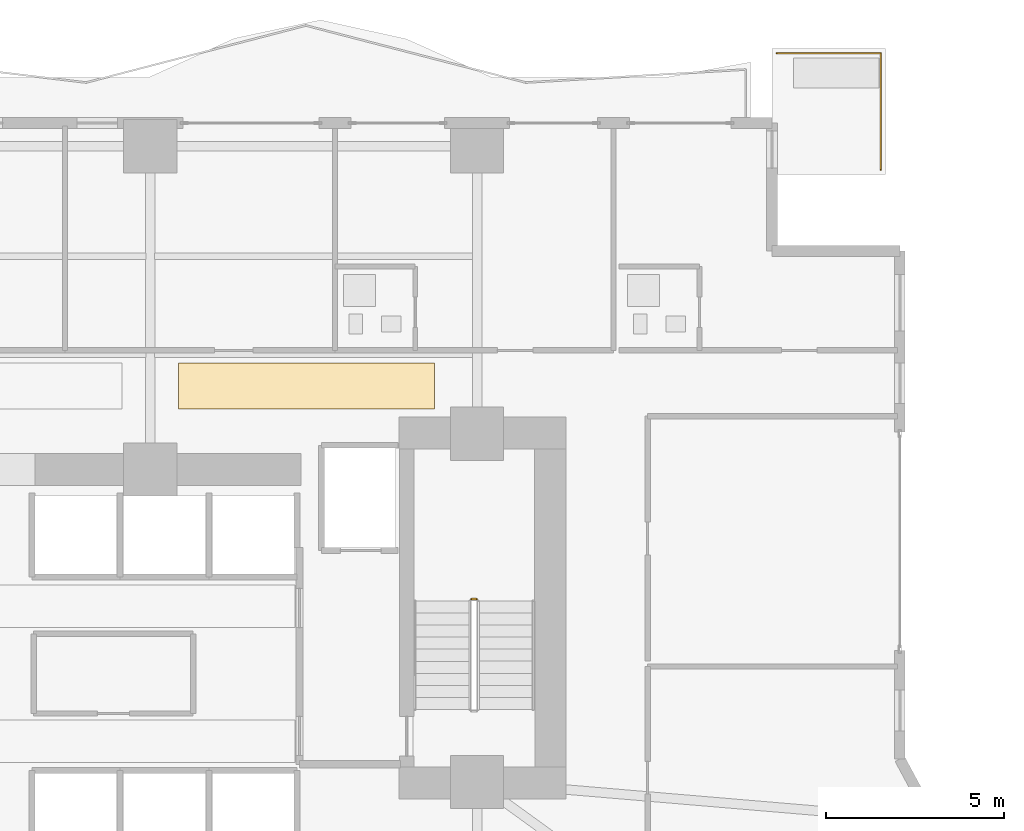
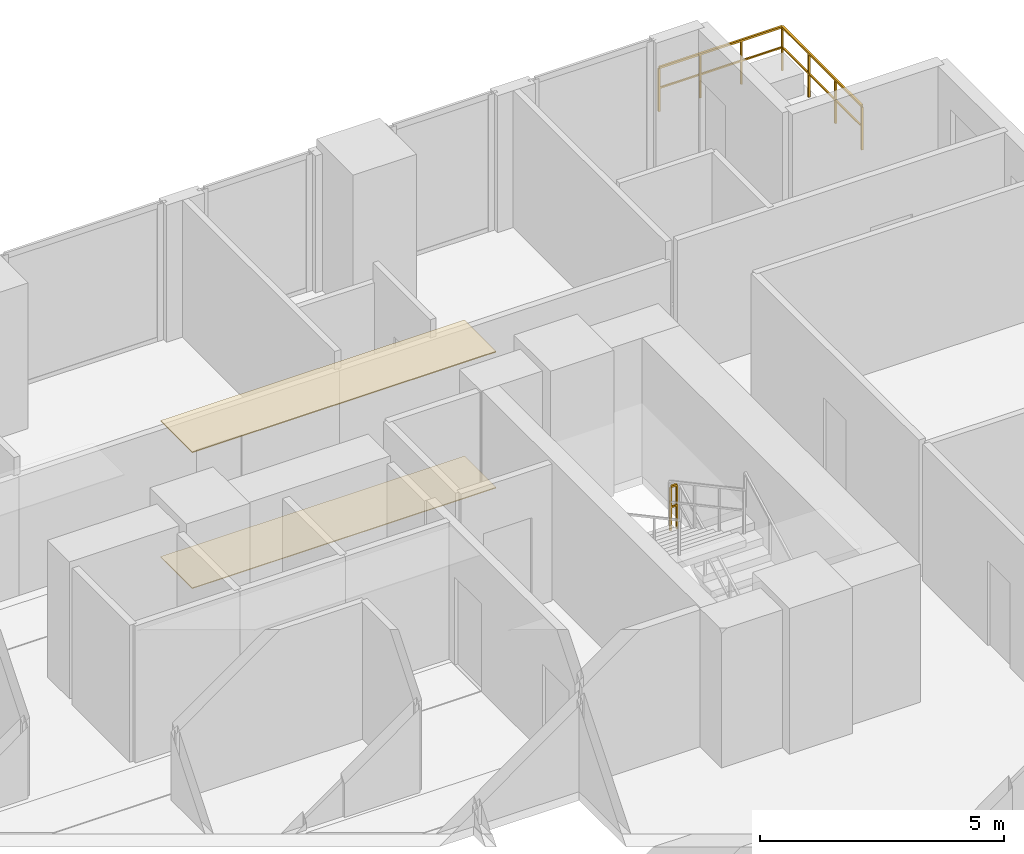
# One storey, part 27 of 28: 2 coverings, 2 railings.
"""IFC4 building model written with IfcOpenShell, lengths in metres."""

from ifc_helpers import new_model, si_unit, direction, frame, origin, origin_2d, place, context, subcontext, project, spatial, polyline, rectangle, outline, extrude, material, layer, layer_set, type_object, element, save


model = new_model("IFC4")

# Units and contexts
model_context = context("Model", 3, precision=1e-05, world=origin(), true_north=direction((0.0, 1.0)))
body_context = subcontext(model_context, "Body", "Model", "MODEL_VIEW")
ifc_project = project(units=[si_unit("LENGTHUNIT", "METRE"), si_unit("AREAUNIT", "SQUARE_METRE"), si_unit("VOLUMEUNIT", "CUBIC_METRE"), si_unit("PLANEANGLEUNIT", "RADIAN"), si_unit("MASSUNIT", "GRAM", prefix="KILO")], contexts=[model_context])

# Site, building, storey
site_placement = place(None, origin())
site = spatial("IfcSite", under=ifc_project, at=site_placement, CompositionType="ELEMENT")
building_placement = place(site_placement, origin())
building = spatial("IfcBuilding", under=site, at=building_placement, Name="Zuhayl Quay Hotel", CompositionType="ELEMENT")
storey_placement = place(building_placement, frame((0.0, 0.0, 49.5)))
storey = spatial("IfcBuildingStorey", under=building, at=storey_placement, Name="L11", CompositionType="ELEMENT", Elevation=49.5)

# Coverings
ifc_material_1 = material(Name="Acoustic Mineral-Fibre Gypsum Board")
ifc_layer_1 = layer(ifc_material_1, 0.02490234375, Name="Acoustic Mineral-Fibre Gypsum Board")
ifc_layer_set_1 = layer_set([ifc_layer_1], Name="Acoustic Mineral-Fibre Gypsum Board")
covering_type_1 = type_object("IfcCoveringType", Name="CV_CEIL_ACOUSTIC", PredefinedType="CEILING", material=ifc_layer_set_1)
covering_1_placement = place(storey_placement, frame((0.0, 0.0, 3.405029296875)))
element("IfcCovering", 1, at=covering_1_placement, inside=storey, type_object=covering_type_1, Name="L11 Guest Corridor Acoustic Ceiling CE", PredefinedType="CEILING", context=body_context, shape_type="SweptSolid", body=[
    extrude(outline(polyline([(5.39990234375, 15.050048828125), (12.60009765625, 15.050048828125), (12.60009765625, 16.35009765625), (5.39990234375, 16.35009765625), (5.39990234375, 15.050048828125)])), origin(), (0.0, 0.0, 1.0), 0.02490234375),
])
ifc_material_2 = material(Name="Polished Limestone Terrazzo", Category="masonry")
ifc_layer_2 = layer(ifc_material_2, 0.02001953125, Name="Polished Limestone Terrazzo", Category="masonry")
ifc_layer_set_2 = layer_set([ifc_layer_2], Name="Polished Limestone Terrazzo")
covering_type_2 = type_object("IfcCoveringType", Name="CV_FLOOR_TERRAZZO", PredefinedType="FLOORING", material=ifc_layer_set_2)
covering_2_placement = place(storey_placement, origin())
element("IfcCovering", 2, at=covering_2_placement, inside=storey, type_object=covering_type_2, Name="L11 Guest Corridor Terrazzo Runner CE", PredefinedType="FLOORING", context=body_context, shape_type="SweptSolid", body=[
    extrude(outline(polyline([(5.39990234375, 15.050048828125), (12.60009765625, 15.050048828125), (12.60009765625, 16.35009765625), (5.39990234375, 16.35009765625), (5.39990234375, 15.050048828125)])), origin(), (0.0, 0.0, 1.0), 0.02001953125),
])

# Railings
ifc_material_3 = material(Name="Anodised Aluminium and Laminated Glass", Category="aluminium")
railing_type_1 = type_object("IfcRailingType", Name="RL_EXT_BAL_1100", PredefinedType="BALUSTRADE", material=ifc_material_3)
railing_1_placement = place(storey_placement, frame((25.159912109375, 21.7900390625, 0.0)))
element("IfcRailing", 3, at=railing_1_placement, inside=storey, type_object=railing_type_1, Name="L11 Balcony and Terrace Guard GR_L11_SPIRAL_NE", PredefinedType="BALUSTRADE", context=body_context, shape_type="SweptSolid", body=[
    extrude(rectangle(XDim=0.048095703125, YDim=0.048095703125, at=origin_2d()), frame((0.0, 0.0, 1.09619140625), z_axis=(0.0, 1.0, 0.0), x_axis=(-1.0, 0.0, 0.0)), (0.0, 0.0, 1.0), 3.27001953125),
    extrude(rectangle(XDim=0.0361328125, YDim=0.0361328125, at=origin_2d()), frame((0.0, 0.0, 0.58251953125), z_axis=(0.0, 1.0, 0.0), x_axis=(-1.0, 0.0, 0.0)), (0.0, 0.0, 1.0), 3.27001953125),
    extrude(rectangle(XDim=0.048095703125, YDim=0.048095703125, at=origin_2d()), frame((0.0, 3.27001953125, 1.09619140625), z_axis=(-1.0, 0.0, 0.0), x_axis=(0.0, -1.0, 0.0)), (0.0, 0.0, 1.0), 2.919921875),
    extrude(rectangle(XDim=0.0361328125, YDim=0.0361328125, at=origin_2d()), frame((0.0, 3.27001953125, 0.58251953125), z_axis=(-1.0, 0.0, 0.0), x_axis=(0.0, -1.0, 0.0)), (0.0, 0.0, 1.0), 2.919921875),
    extrude(rectangle(XDim=0.0419921875, YDim=0.0419921875, at=origin_2d()), origin(), (0.0, 0.0, 1.0), 1.072021484375),
    extrude(rectangle(XDim=0.0419921875, YDim=0.0419921875, at=origin_2d()), frame((0.0, 1.090087890625, 0.0)), (0.0, 0.0, 1.0), 1.072021484375),
    extrude(rectangle(XDim=0.0419921875, YDim=0.0419921875, at=origin_2d()), frame((0.0, 2.179931640625, 0.0)), (0.0, 0.0, 1.0), 1.072021484375),
    extrude(rectangle(XDim=0.0419921875, YDim=0.0419921875, at=origin_2d()), frame((0.0, 3.27001953125, 0.0)), (0.0, 0.0, 1.0), 1.072021484375),
    extrude(rectangle(XDim=0.0419921875, YDim=0.0419921875, at=origin_2d()), frame((-0.973388671875, 3.27001953125, 0.0)), (0.0, 0.0, 1.0), 1.072021484375),
    extrude(rectangle(XDim=0.0419921875, YDim=0.0419921875, at=origin_2d()), frame((-1.946533203125, 3.27001953125, 0.0)), (0.0, 0.0, 1.0), 1.072021484375),
    extrude(rectangle(XDim=0.0419921875, YDim=0.0419921875, at=origin_2d()), frame((-2.919921875, 3.27001953125, 0.0)), (0.0, 0.0, 1.0), 1.072021484375),
])
ifc_material_4 = material(Name="Steel ASTM A992 Grade 50", Category="steel")
railing_type_2 = type_object("IfcRailingType", Name="RL_GUARD_1100", PredefinedType="GUARDRAIL", material=ifc_material_4)
railing_2_placement = place(storey_placement, frame((13.7900390625, 9.699951171875, 1.824951171875)))
element("IfcRailing", 4, at=railing_2_placement, inside=storey, type_object=railing_type_2, Name="L11 ST2 stair guard 2", PredefinedType="GUARDRAIL", context=body_context, shape_type="SweptSolid", body=[
    extrude(rectangle(XDim=0.048095703125, YDim=0.048095703125, at=origin_2d()), frame((0.0, 0.0, 1.09619140625), z_axis=(-1.0, 0.0, 0.0), x_axis=(0.0, -1.0, 0.0)), (0.0, 0.0, 1.0), 0.150146484375),
    extrude(rectangle(XDim=0.0361328125, YDim=0.0361328125, at=origin_2d()), frame((0.0, 0.0, 0.58251953125), z_axis=(-1.0, 0.0, 0.0), x_axis=(0.0, -1.0, 0.0)), (0.0, 0.0, 1.0), 0.150146484375),
    extrude(rectangle(XDim=0.0419921875, YDim=0.0419921875, at=origin_2d()), origin(), (0.0, 0.0, 1.0), 1.072021484375),
    extrude(rectangle(XDim=0.0419921875, YDim=0.0419921875, at=origin_2d()), frame((-0.150146484375, 0.0, 0.0)), (0.0, 0.0, 1.0), 1.072021484375),
])

save(model, "model.ifc")
